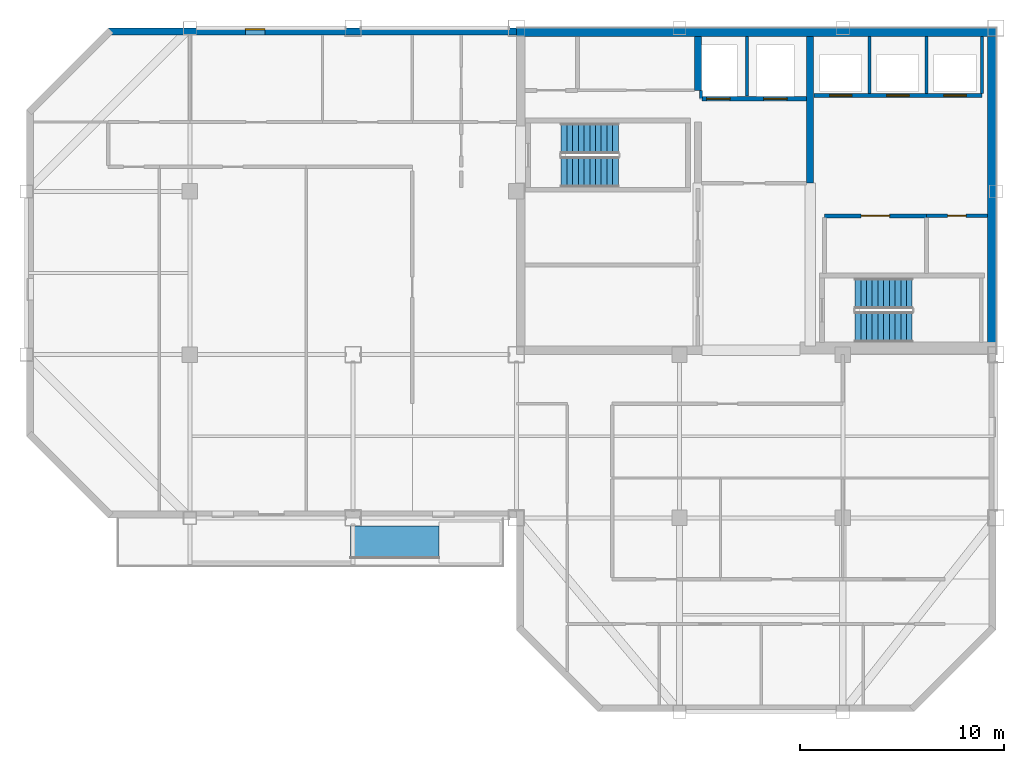
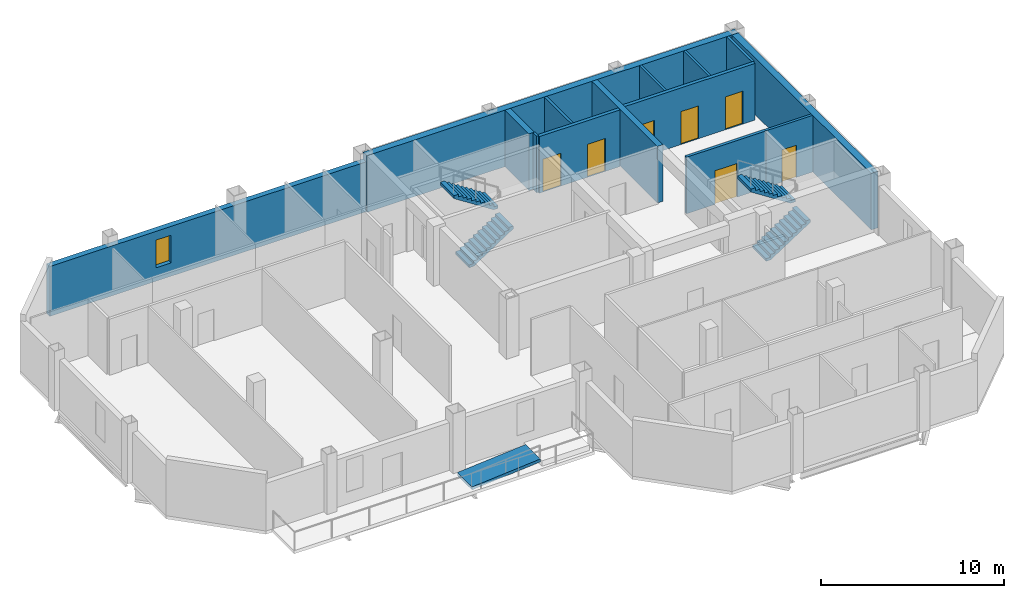
# One storey, part 4 of 7: 14 walls, 7 doors, 4 stair flights, 1 ramp flight, 1 window, 8 openings, 3 elements without a shape of their own.
"""IFC4 building model written with IfcOpenShell, lengths in metres."""

from ifc_helpers import new_model, si_unit, direction, frame, frame_2d, origin, place, context, subcontext, project, spatial, polyline, rectangle, outline, extrude, material, layer, layer_set, type_object, element, fill, aggregate, save


model = new_model("IFC4")

# Units and contexts
model_context = context("Model", 3, precision=1e-05, world=origin(), true_north=direction((0.0, 1.0)))
body_context = subcontext(model_context, "Body", "Model", "MODEL_VIEW")
ifc_project = project(units=[si_unit("LENGTHUNIT", "METRE"), si_unit("AREAUNIT", "SQUARE_METRE"), si_unit("VOLUMEUNIT", "CUBIC_METRE"), si_unit("PLANEANGLEUNIT", "RADIAN"), si_unit("MASSUNIT", "GRAM", prefix="KILO")], contexts=[model_context])

# Site, building, storey
site_placement = place(None, origin())
site = spatial("IfcSite", under=ifc_project, at=site_placement, CompositionType="ELEMENT")
building_placement = place(site_placement, origin())
building = spatial("IfcBuilding", under=site, at=building_placement, Name="Qianrong Seaharbour Tower", CompositionType="ELEMENT")
storey_placement = place(building_placement, frame((0.0, 0.0, 359.199951171875)))
storey = spatial("IfcBuildingStorey", under=building, at=storey_placement, Name="L87", CompositionType="ELEMENT", Elevation=359.199951171875)

# Walls
ifc_material_1 = material(Name="Concrete C50/60", Category="concrete")
ifc_layer_1 = layer(ifc_material_1, 0.419921875)
ifc_layer_set_1 = layer_set([ifc_layer_1], Name="Concrete C50/60")
wall_type_1 = type_object("IfcWallType", Name="WALL-CORE-420", PredefinedType="SHEAR", material=ifc_layer_set_1)
wall_1_placement = place(storey_placement, frame((40.5, 51.7900390625, 0.0), z_axis=(0.0, 0.0, 1.0), x_axis=(1.0, 0.0, 0.0)))
element("IfcWall", 1, at=wall_1_placement, inside=storey, type_object=wall_type_1, Name="L87 North Core Shear Wall", PredefinedType="SHEAR", context=body_context, shape_type="SweptSolid", body=[
    extrude(rectangle(XDim=23.5, YDim=0.419921875, at=frame_2d((11.75, 0.0))), origin(), (0.0, 0.0, 1.0), 3.78515625),
])
wall_2_placement = place(storey_placement, frame((63.7900390625, 36.320068359375, 0.0), z_axis=(0.0, 0.0, 1.0), x_axis=(0.0, 1.0, 0.0)))
element("IfcWall", 2, at=wall_2_placement, inside=storey, type_object=wall_type_1, Name="L87 East Core Shear Wall", PredefinedType="SHEAR", context=body_context, shape_type="SweptSolid", body=[
    extrude(rectangle(XDim=15.260009765625, YDim=0.419921875, at=frame_2d((7.6298828125, 0.0))), origin(), (0.0, 0.0, 1.0), 3.78515625),
])
ifc_layer_2 = layer(ifc_material_1, 0.35009765625)
ifc_layer_set_2 = layer_set([ifc_layer_2], Name="Concrete C50/60")
wall_type_2 = type_object("IfcWallType", Name="WALL-CORE-INT-350", PredefinedType="SHEAR", material=ifc_layer_set_2)
wall_3_placement = place(storey_placement, frame((49.39990234375, 48.949951171875, 0.0), z_axis=(0.0, 0.0, 1.0), x_axis=(0.0, 1.0, 0.0)))
element("IfcWall", 3, at=wall_3_placement, inside=storey, type_object=wall_type_2, Name="L87 Internal Core Shear Wall IW1N2", PredefinedType="SHEAR", context=body_context, shape_type="SweptSolid", body=[
    extrude(rectangle(XDim=2.630126953125, YDim=0.35009765625, at=frame_2d((1.31494140625, 0.0))), origin(), (0.0, 0.0, 1.0), 3.78515625),
])
wall_4_placement = place(storey_placement, frame((54.89990234375, 44.39990234375, 0.0), z_axis=(0.0, 0.0, 1.0), x_axis=(0.0, 1.0, 0.0)))
element("IfcWall", 4, at=wall_4_placement, inside=storey, type_object=wall_type_2, Name="L87 Internal Core Shear Wall IW2N", PredefinedType="SHEAR", context=body_context, shape_type="SweptSolid", body=[
    extrude(rectangle(XDim=7.18017578125, YDim=0.35009765625, at=frame_2d((3.590087890625, 0.0))), origin(), (0.0, 0.0, 1.0), 3.78515625),
])

# Wall, opening, door
ifc_material_2 = material(Name="Fire-rated acoustic gypsum board partition")
ifc_layer_3 = layer(ifc_material_2, 0.1650390625)
ifc_layer_set_3 = layer_set([ifc_layer_3], Name="Fire-rated acoustic gypsum board partition")
wall_type_3 = type_object("IfcWallType", Name="WALL-CORR-PART-165", PredefinedType="PARTITIONING", material=ifc_layer_set_3)
wall_5_placement = place(storey_placement, frame((63.580078125, 42.800048828125, 0.0), z_axis=(0.0, 0.0, 1.0), x_axis=(-1.0, 0.0, 0.0)))
wall_5 = element("IfcWall", 5, at=wall_5_placement, inside=storey, type_object=wall_type_3, Name="L87 Interior Partition Wall 015", PredefinedType="PARTITIONING", context=body_context, shape_type="SweptSolid", body=[
    extrude(rectangle(XDim=2.97998046875, YDim=0.1650390625, at=frame_2d((1.489990234375, 0.0))), origin(), (0.0, 0.0, 1.0), 3.78515625),
])
opening_1_placement = place(wall_5_placement, frame((1.0400390625, 0.0, 0.0)))
opening_1 = element("IfcOpeningElement", 6, at=opening_1_placement, cuts=wall_5, Name="Opening DS-01", PredefinedType="OPENING", context=body_context, shape_type="SweptSolid", body=[
    extrude(rectangle(XDim=0.89990234375, YDim=2.14990234375, at=frame_2d((0.449951171875, 1.074951171875))), frame((0.0, 0.092529296875, 0.0), z_axis=(0.0, -1.0, 0.0), x_axis=(1.0, 0.0, 0.0)), (0.0, 0.0, 1.0), 0.18505859375),
])
ifc_material_3 = material(Name="Acoustic timber and galvanized steel fire door assembly", Category="steel")
door_type_1 = type_object("IfcDoorType", Name="DOOR-STORE-900x2150", OperationType="NOTDEFINED", PredefinedType="DOOR", material=ifc_material_3)
door_1_placement = place(opening_1_placement, origin())
door_1 = element("IfcDoor", 7, at=door_1_placement, inside=storey, type_object=door_type_1, Name="L87 Housekeeping Linen Store Door", OperationType="SINGLE_SWING_RIGHT", OverallHeight=2.14990234375, OverallWidth=0.89990234375, PredefinedType="DOOR", context=body_context, shape_type="SweptSolid", body=[
    extrude(rectangle(XDim=0.89990234375, YDim=2.14990234375, at=frame_2d((0.449951171875, 1.074951171875))), frame((0.0, 0.02490234375, 0.0), z_axis=(0.0, -1.0, 0.0), x_axis=(1.0, 0.0, 0.0)), (0.0, 0.0, 1.0), 0.050048828125),
])
fill(opening_1, door_1)

# Wall, opening, window
ifc_material_4 = material(Name="Unitised buff brick on Precast concrete C45/55", Category="masonry")
ifc_layer_4 = layer(ifc_material_4, 0.340087890625)
ifc_layer_set_4 = layer_set([ifc_layer_4], Name="Unitised buff brick on Precast concrete C45/55")
wall_type_4 = type_object("IfcWallType", Name="WALL-EXT-BRICK-BUFF-340", PredefinedType="SOLIDWALL", material=ifc_layer_set_4)
wall_6_placement = place(storey_placement, frame((20.5, 51.830078125, 0.0), z_axis=(0.0, 0.0, 1.0), x_axis=(1.0, 0.0, 0.0)))
wall_6 = element("IfcWall", 8, at=wall_6_placement, inside=storey, type_object=wall_type_4, Name="L87 Exterior Masonry Facade Wall NORTH_WING", PredefinedType="SOLIDWALL", context=body_context, shape_type="SweptSolid", body=[
    extrude(rectangle(XDim=20.02001953125, YDim=0.340087890625, at=frame_2d((10.010009765625, 0.0))), origin(), (0.0, 0.0, 1.0), 3.3349609375),
])
opening_2_placement = place(wall_6_placement, frame((6.72509765625, 0.0, 0.89990234375)))
opening_2 = element("IfcOpeningElement", 9, at=opening_2_placement, cuts=wall_6, Name="Opening WN-13", PredefinedType="OPENING", context=body_context, shape_type="SweptSolid", body=[
    extrude(rectangle(XDim=0.949951171875, YDim=1.85009765625, at=frame_2d((0.47509765625, 0.925048828125))), frame((0.0, 0.18017578125, 0.0), z_axis=(0.0, -1.0, 0.0), x_axis=(1.0, 0.0, 0.0)), (0.0, 0.0, 1.0), 0.360107421875),
])
ifc_material_5 = material(Name="Insulated low-e double glazing in thermally broken aluminium 6063-T6 frame", Category="aluminium")
window_type = type_object("IfcWindowType", Name="WIN-NARROW-950x1850", PartitioningType="SINGLE_PANEL", PredefinedType="WINDOW", material=ifc_material_5)
window_placement = place(opening_2_placement, origin())
window = element("IfcWindow", 10, at=window_placement, inside=storey, type_object=window_type, Name="L87 Deep-Set Punched Window 05.02", OverallHeight=1.85009765625, OverallWidth=0.949951171875, PartitioningType="SINGLE_PANEL", PredefinedType="WINDOW", context=body_context, shape_type="SweptSolid", body=[
    extrude(rectangle(XDim=0.949951171875, YDim=1.85009765625, at=frame_2d((0.47509765625, 0.925048828125))), frame((0.0, 0.150146484375, 0.0), z_axis=(0.0, -1.0, 0.0), x_axis=(1.0, 0.0, 0.0)), (0.0, 0.0, 1.0), 0.06005859375),
])
fill(opening_2, window)

# Wall, opening, door
ifc_material_6 = material(Name="Double fire-rated gypsum board acoustic partition")
ifc_layer_5 = layer(ifc_material_6, 0.18994140625)
ifc_layer_set_5 = layer_set([ifc_layer_5], Name="Double fire-rated gypsum board acoustic partition")
wall_type_5 = type_object("IfcWallType", Name="WALL-FIRE-PART-190", PredefinedType="PARTITIONING", material=ifc_layer_set_5)
wall_7_placement = place(storey_placement, frame((60.60009765625, 42.800048828125, 0.0), z_axis=(0.0, 0.0, 1.0), x_axis=(-1.0, 0.0, 0.0)))
wall_7 = element("IfcWall", 11, at=wall_7_placement, inside=storey, type_object=wall_type_5, Name="L87 Interior Partition Wall 014", PredefinedType="PARTITIONING", context=body_context, shape_type="SweptSolid", body=[
    extrude(rectangle(XDim=5.0, YDim=0.18994140625, at=frame_2d((2.5, 0.0))), origin(), (0.0, 0.0, 1.0), 3.78515625),
])
opening_3_placement = place(wall_7_placement, frame((1.800048828125, 0.0, 0.0)))
opening_3 = element("IfcOpeningElement", 12, at=opening_3_placement, cuts=wall_7, Name="Opening DP-01", PredefinedType="OPENING", context=body_context, shape_type="SweptSolid", body=[
    extrude(rectangle(XDim=1.39990234375, YDim=2.25, at=frame_2d((0.699951171875, 1.125))), frame((0.0, 0.10498046875, 0.0), z_axis=(0.0, -1.0, 0.0), x_axis=(1.0, 0.0, 0.0)), (0.0, 0.0, 1.0), 0.2099609375),
])
door_type_2 = type_object("IfcDoorType", Name="DOOR-PLANT-PAIR-1400x2250", OperationType="DOUBLE_DOOR_SINGLE_SWING", PredefinedType="DOOR", material=ifc_material_3)
door_2_placement = place(opening_3_placement, origin())
door_2 = element("IfcDoor", 13, at=door_2_placement, inside=storey, type_object=door_type_2, Name="L87 Submetering Switch Room Door", OperationType="DOUBLE_DOOR_SINGLE_SWING", OverallHeight=2.25, OverallWidth=1.39990234375, PredefinedType="DOOR", context=body_context, shape_type="SweptSolid", body=[
    extrude(rectangle(XDim=1.39990234375, YDim=2.25, at=frame_2d((0.699951171875, 1.125))), frame((0.0, 0.02490234375, 0.0), z_axis=(0.0, -1.0, 0.0), x_axis=(1.0, 0.0, 0.0)), (0.0, 0.0, 1.0), 0.050048828125),
])
fill(opening_3, door_2)

# Walls
ifc_material_7 = material(Name="Fire-rated gypsum board on steel studs", Category="steel")
ifc_layer_6 = layer(ifc_material_7, 0.14990234375)
ifc_layer_set_6 = layer_set([ifc_layer_6], Name="Fire-rated gypsum board on steel studs")
wall_type_6 = type_object("IfcWallType", Name="WALL-SHAFT-DIV-150", PredefinedType="PARTITIONING", material=ifc_layer_set_6)
wall_8_placement = place(storey_placement, frame((51.800048828125, 48.669921875, 0.0), z_axis=(0.0, 0.0, 1.0), x_axis=(0.0, 1.0, 0.0)))
element("IfcWall", 14, at=wall_8_placement, inside=storey, type_object=wall_type_6, Name="L87 Firefighting Lift Shaft Divider Wall", PredefinedType="PARTITIONING", context=body_context, shape_type="SweptSolid", body=[
    extrude(rectangle(XDim=2.91015625, YDim=0.14990234375, at=frame_2d((1.455078125, 0.0))), origin(), (0.0, 0.0, 1.0), 3.78515625),
])
wall_9_placement = place(storey_placement, frame((49.550048828125, 48.550048828125, 0.0), z_axis=(0.0, 0.0, 1.0), x_axis=(0.0, 1.0, 0.0)))
element("IfcWall", 15, at=wall_9_placement, inside=storey, type_object=wall_type_6, Name="L87 Firefighting Lift Shaft West Return Wall", PredefinedType="PARTITIONING", context=body_context, shape_type="SweptSolid", body=[
    extrude(rectangle(XDim=0.39990234375, YDim=0.14990234375, at=frame_2d((0.199951171875, 0.0))), origin(), (0.0, 0.0, 1.0), 3.78515625),
])
for number, where, z_axis, x_axis, name in (
    (16, (57.800048828125, 48.81005859375, 0.0), (0.0, 0.0, 1.0), (0.0, 1.0, 0.0), "L87 P4 Lift Hoistway Divider 2"),
    (17, (60.60009765625, 48.81005859375, 0.0), (0.0, 0.0, 1.0), (0.0, 1.0, 0.0), "L87 P4 Lift Hoistway Divider 3"),
    (18, (63.320068359375, 48.81005859375, 0.0), (0.0, 0.0, 1.0), (0.0, 1.0, 0.0), "L87 P4 Lift Hoistway Divider 4"),
):
    element("IfcWall", number, at=place(storey_placement, frame(where, z_axis=z_axis, x_axis=x_axis)), inside=storey, type_object=wall_type_6, Name=name, PredefinedType="PARTITIONING", context=body_context, shape_type="SweptSolid", body=[
        extrude(rectangle(XDim=2.77001953125, YDim=0.14990234375, at=frame_2d((1.385009765625, 0.0))), origin(), (0.0, 0.0, 1.0), 3.78515625),
    ])

# Wall, openings, doors
ifc_layer_7 = layer(ifc_material_7, 0.219970703125)
ifc_layer_set_7 = layer_set([ifc_layer_7], Name="Fire-rated gypsum board on steel studs")
wall_type_7 = type_object("IfcWallType", Name="WALL-SHAFT-GYP220", PredefinedType="PARTITIONING", material=ifc_layer_set_7)
wall_10_placement = place(storey_placement, frame((54.7099609375, 48.550048828125, 0.0), z_axis=(0.0, 0.0, 1.0), x_axis=(-1.0, 0.0, 0.0)))
wall_10 = element("IfcWall", 19, at=wall_10_placement, inside=storey, type_object=wall_type_7, Name="L87 Firefighting Lift Shaft Front Wall", PredefinedType="PARTITIONING", context=body_context, shape_type="SweptSolid", body=[
    extrude(rectangle(XDim=5.119873046875, YDim=0.219970703125, at=frame_2d((2.56005859375, 0.0))), origin(), (0.0, 0.0, 1.0), 3.78515625),
])
opening_4_placement = place(wall_10_placement, frame((3.735107421875, 0.0, 0.0)))
opening_4 = element("IfcOpeningElement", 20, at=opening_4_placement, cuts=wall_10, Name="Opening LD-01", PredefinedType="OPENING", context=body_context, shape_type="SweptSolid", body=[
    extrude(rectangle(XDim=1.14990234375, YDim=2.199951171875, at=frame_2d((0.574951171875, 1.10009765625))), frame((0.0, 0.1201171875, 0.0), z_axis=(0.0, -1.0, 0.0), x_axis=(1.0, 0.0, 0.0)), (0.0, 0.0, 1.0), 0.239990234375),
])
opening_5_placement = place(wall_10_placement, frame((0.93505859375, 0.0, 0.0)))
opening_5 = element("IfcOpeningElement", 21, at=opening_5_placement, cuts=wall_10, Name="Opening LD-01", PredefinedType="OPENING", context=body_context, shape_type="SweptSolid", body=[
    extrude(rectangle(XDim=1.14990234375, YDim=2.199951171875, at=frame_2d((0.574951171875, 1.10009765625))), frame((0.0, 0.1201171875, 0.0), z_axis=(0.0, -1.0, 0.0), x_axis=(1.0, 0.0, 0.0)), (0.0, 0.0, 1.0), 0.239990234375),
])
ifc_material_8 = material(Name="Stainless steel SUS316L bi-parting lift landing door", Category="steel")
door_type_3 = type_object("IfcDoorType", Name="DOOR-LIFT-FF-1150x2200", OperationType="DOUBLE_DOOR_SLIDING", PredefinedType="DOOR", material=ifc_material_8)
door_3_placement = place(opening_4_placement, origin())
door_3 = element("IfcDoor", 22, at=door_3_placement, inside=storey, type_object=door_type_3, Name="L87 FL-1 Firefighting Lift Landing Door", OperationType="DOUBLE_DOOR_SLIDING", OverallHeight=2.199951171875, OverallWidth=1.14990234375, PredefinedType="DOOR", context=body_context, shape_type="SweptSolid", body=[
    extrude(rectangle(XDim=1.14990234375, YDim=2.199951171875, at=frame_2d((0.574951171875, 1.10009765625))), frame((0.0, 0.02490234375, 0.0), z_axis=(0.0, -1.0, 0.0), x_axis=(1.0, 0.0, 0.0)), (0.0, 0.0, 1.0), 0.050048828125),
])
fill(opening_4, door_3)
door_4_placement = place(opening_5_placement, origin())
door_4 = element("IfcDoor", 23, at=door_4_placement, inside=storey, type_object=door_type_3, Name="L87 FL-2 Firefighting Lift Landing Door", OperationType="DOUBLE_DOOR_SLIDING", OverallHeight=2.199951171875, OverallWidth=1.14990234375, PredefinedType="DOOR", context=body_context, shape_type="SweptSolid", body=[
    extrude(rectangle(XDim=1.14990234375, YDim=2.199951171875, at=frame_2d((0.574951171875, 1.10009765625))), frame((0.0, 0.02490234375, 0.0), z_axis=(0.0, -1.0, 0.0), x_axis=(1.0, 0.0, 0.0)), (0.0, 0.0, 1.0), 0.050048828125),
])
fill(opening_5, door_4)

wall_11_placement = place(storey_placement, frame((63.320068359375, 48.699951171875, 0.0), z_axis=(0.0, 0.0, 1.0), x_axis=(-1.0, 0.0, 0.0)))
wall_11 = element("IfcWall", 24, at=wall_11_placement, inside=storey, type_object=wall_type_7, Name="L87 P4 Lift Hoistway Front Wall", PredefinedType="PARTITIONING", context=body_context, shape_type="SweptSolid", body=[
    extrude(rectangle(XDim=8.239990234375, YDim=0.219970703125, at=frame_2d((4.1201171875, 0.0))), origin(), (0.0, 0.0, 1.0), 3.78515625),
])
opening_6_placement = place(wall_11_placement, frame((6.3701171875, 0.0, 0.0)))
opening_6 = element("IfcOpeningElement", 25, at=opening_6_placement, cuts=wall_11, Name="Opening LD-02", PredefinedType="OPENING", context=body_context, shape_type="SweptSolid", body=[
    extrude(rectangle(XDim=1.10009765625, YDim=2.199951171875, at=frame_2d((0.550048828125, 1.10009765625))), frame((0.0, 0.1201171875, 0.0), z_axis=(0.0, -1.0, 0.0), x_axis=(1.0, 0.0, 0.0)), (0.0, 0.0, 1.0), 0.239990234375),
])
opening_7_placement = place(wall_11_placement, frame((3.570068359375, 0.0, 0.0)))
opening_7 = element("IfcOpeningElement", 26, at=opening_7_placement, cuts=wall_11, Name="Opening LD-02", PredefinedType="OPENING", context=body_context, shape_type="SweptSolid", body=[
    extrude(rectangle(XDim=1.10009765625, YDim=2.199951171875, at=frame_2d((0.550048828125, 1.10009765625))), frame((0.0, 0.1201171875, 0.0), z_axis=(0.0, -1.0, 0.0), x_axis=(1.0, 0.0, 0.0)), (0.0, 0.0, 1.0), 0.239990234375),
])
opening_8_placement = place(wall_11_placement, frame((0.77001953125, 0.0, 0.0)))
opening_8 = element("IfcOpeningElement", 27, at=opening_8_placement, cuts=wall_11, Name="Opening LD-02", PredefinedType="OPENING", context=body_context, shape_type="SweptSolid", body=[
    extrude(rectangle(XDim=1.10009765625, YDim=2.199951171875, at=frame_2d((0.550048828125, 1.10009765625))), frame((0.0, 0.1201171875, 0.0), z_axis=(0.0, -1.0, 0.0), x_axis=(1.0, 0.0, 0.0)), (0.0, 0.0, 1.0), 0.239990234375),
])
door_type_4 = type_object("IfcDoorType", Name="DOOR-LIFT-PASS-1100x2200", OperationType="DOUBLE_DOOR_SLIDING", PredefinedType="DOOR", material=ifc_material_8)
door_5_placement = place(opening_6_placement, origin())
door_5 = element("IfcDoor", 28, at=door_5_placement, inside=storey, type_object=door_type_4, Name="L87 PL-4A Lift Landing Door", OperationType="DOUBLE_DOOR_SLIDING", OverallHeight=2.199951171875, OverallWidth=1.10009765625, PredefinedType="DOOR", context=body_context, shape_type="SweptSolid", body=[
    extrude(rectangle(XDim=1.10009765625, YDim=2.199951171875, at=frame_2d((0.550048828125, 1.10009765625))), frame((0.0, 0.02490234375, 0.0), z_axis=(0.0, -1.0, 0.0), x_axis=(1.0, 0.0, 0.0)), (0.0, 0.0, 1.0), 0.050048828125),
])
fill(opening_6, door_5)
door_6_placement = place(opening_7_placement, origin())
door_6 = element("IfcDoor", 29, at=door_6_placement, inside=storey, type_object=door_type_4, Name="L87 PL-4B Lift Landing Door", OperationType="DOUBLE_DOOR_SLIDING", OverallHeight=2.199951171875, OverallWidth=1.10009765625, PredefinedType="DOOR", context=body_context, shape_type="SweptSolid", body=[
    extrude(rectangle(XDim=1.10009765625, YDim=2.199951171875, at=frame_2d((0.550048828125, 1.10009765625))), frame((0.0, 0.02490234375, 0.0), z_axis=(0.0, -1.0, 0.0), x_axis=(1.0, 0.0, 0.0)), (0.0, 0.0, 1.0), 0.050048828125),
])
fill(opening_7, door_6)
door_7_placement = place(opening_8_placement, origin())
door_7 = element("IfcDoor", 30, at=door_7_placement, inside=storey, type_object=door_type_4, Name="L87 PL-4C Lift Landing Door", OperationType="DOUBLE_DOOR_SLIDING", OverallHeight=2.199951171875, OverallWidth=1.10009765625, PredefinedType="DOOR", context=body_context, shape_type="SweptSolid", body=[
    extrude(rectangle(XDim=1.10009765625, YDim=2.199951171875, at=frame_2d((0.550048828125, 1.10009765625))), frame((0.0, 0.02490234375, 0.0), z_axis=(0.0, -1.0, 0.0), x_axis=(1.0, 0.0, 0.0)), (0.0, 0.0, 1.0), 0.050048828125),
])
fill(opening_8, door_7)

# Stair, stair flights
stair_type = type_object("IfcStairType", Name="STAIR-DOGLEG-1500-R22", PredefinedType="HALF_TURN_STAIR", material=ifc_material_1)
stair_1_placement = place(storey_placement, origin())
stair_1 = element("IfcStair", 31, at=stair_1_placement, inside=storey, type_object=stair_type, Name="L87 Protected Escape Stair ST-1", PredefinedType="HALF_TURN_STAIR")
stair_flight_type = type_object("IfcStairFlightType", Name="FLIGHT-STR-1500-R22", PredefinedType="STRAIGHT", material=ifc_material_1)
stair_flight_1_placement = place(storey_placement, frame((42.699951171875, 44.949951171875, 0.0), z_axis=(0.0, 0.0, 1.0), x_axis=(1.0, 0.0, 0.0)))
stair_flight_1 = element("IfcStairFlight", 32, at=stair_flight_1_placement, type_object=stair_flight_type, Name="ST-1 flight 1", NumberOfRisers=11, NumberOfTreads=10, PredefinedType="STRAIGHT", RiserHeight=0.181818182, TreadLength=0.28, context=body_context, shape_type="SweptSolid", body=[
    extrude(outline(polyline([(0.0, 0.0), (0.0, 0.181884765625), (0.280029296875, 0.181884765625), (0.280029296875, 0.363525390625), (0.56005859375, 0.363525390625), (0.56005859375, 0.54541015625), (0.840087890625, 0.54541015625), (0.840087890625, 0.727294921875), (1.1201171875, 0.727294921875), (1.1201171875, 0.9091796875), (1.39990234375, 0.9091796875), (1.39990234375, 1.0908203125), (1.679931640625, 1.0908203125), (1.679931640625, 1.272705078125), (1.9599609375, 1.272705078125), (1.9599609375, 1.45458984375), (2.239990234375, 1.45458984375), (2.239990234375, 1.636474609375), (2.52001953125, 1.636474609375), (2.52001953125, 1.818115234375), (2.800048828125, 1.818115234375), (2.800048828125, 2.0), (2.800048828125, 1.62744140625), (0.293701171875, 0.0), (0.0, 0.0)])), frame((0.0, 0.75, 0.0), z_axis=(0.0, -1.0, 0.0), x_axis=(1.0, 0.0, 0.0)), (0.0, 0.0, 1.0), 1.5),
])
stair_flight_2_placement = place(storey_placement, frame((45.5, 46.60009765625, 2.0), z_axis=(0.0, 0.0, 1.0), x_axis=(-1.0, 0.0, 0.0)))
stair_flight_2 = element("IfcStairFlight", 33, at=stair_flight_2_placement, type_object=stair_flight_type, Name="ST-1 flight 2", NumberOfRisers=11, NumberOfTreads=10, PredefinedType="STRAIGHT", RiserHeight=0.181818182, TreadLength=0.28, context=body_context, shape_type="SweptSolid", body=[
    extrude(outline(polyline([(0.0, 0.0), (0.0, 0.181884765625), (0.280029296875, 0.181884765625), (0.280029296875, 0.363525390625), (0.56005859375, 0.363525390625), (0.56005859375, 0.54541015625), (0.840087890625, 0.54541015625), (0.840087890625, 0.727294921875), (1.1201171875, 0.727294921875), (1.1201171875, 0.9091796875), (1.39990234375, 0.9091796875), (1.39990234375, 1.0908203125), (1.679931640625, 1.0908203125), (1.679931640625, 1.272705078125), (1.9599609375, 1.272705078125), (1.9599609375, 1.45458984375), (2.239990234375, 1.45458984375), (2.239990234375, 1.636474609375), (2.52001953125, 1.636474609375), (2.52001953125, 1.818115234375), (2.800048828125, 1.818115234375), (2.800048828125, 2.0), (2.800048828125, 1.62744140625), (0.293701171875, 0.0), (0.0, 0.0)])), frame((0.0, 0.75, 0.0), z_axis=(0.0, -1.0, 0.0), x_axis=(1.0, 0.0, 0.0)), (0.0, 0.0, 1.0), 1.5),
])
aggregate(stair_1, [stair_flight_1, stair_flight_2])

stair_2_placement = place(storey_placement, origin())
stair_2 = element("IfcStair", 34, at=stair_2_placement, inside=storey, type_object=stair_type, Name="L87 Protected Escape Stair ST-2", PredefinedType="HALF_TURN_STAIR")
stair_flight_3_placement = place(storey_placement, frame((57.10009765625, 37.35009765625, 0.0), z_axis=(0.0, 0.0, 1.0), x_axis=(1.0, 0.0, 0.0)))
stair_flight_3 = element("IfcStairFlight", 35, at=stair_flight_3_placement, type_object=stair_flight_type, Name="ST-2 flight 1", NumberOfRisers=11, NumberOfTreads=10, PredefinedType="STRAIGHT", RiserHeight=0.181818182, TreadLength=0.28, context=body_context, shape_type="SweptSolid", body=[
    extrude(outline(polyline([(0.0, 0.0), (0.0, 0.181884765625), (0.280029296875, 0.181884765625), (0.280029296875, 0.363525390625), (0.56005859375, 0.363525390625), (0.56005859375, 0.54541015625), (0.840087890625, 0.54541015625), (0.840087890625, 0.727294921875), (1.1201171875, 0.727294921875), (1.1201171875, 0.9091796875), (1.39990234375, 0.9091796875), (1.39990234375, 1.0908203125), (1.679931640625, 1.0908203125), (1.679931640625, 1.272705078125), (1.9599609375, 1.272705078125), (1.9599609375, 1.45458984375), (2.239990234375, 1.45458984375), (2.239990234375, 1.636474609375), (2.52001953125, 1.636474609375), (2.52001953125, 1.818115234375), (2.800048828125, 1.818115234375), (2.800048828125, 2.0), (2.800048828125, 1.62744140625), (0.293701171875, 0.0), (0.0, 0.0)])), frame((0.0, 0.75, 0.0), z_axis=(0.0, -1.0, 0.0), x_axis=(1.0, 0.0, 0.0)), (0.0, 0.0, 1.0), 1.5),
])
stair_flight_4_placement = place(storey_placement, frame((59.89990234375, 39.0, 2.0), z_axis=(0.0, 0.0, 1.0), x_axis=(-1.0, 0.0, 0.0)))
stair_flight_4 = element("IfcStairFlight", 36, at=stair_flight_4_placement, type_object=stair_flight_type, Name="ST-2 flight 2", NumberOfRisers=11, NumberOfTreads=10, PredefinedType="STRAIGHT", RiserHeight=0.181818182, TreadLength=0.28, context=body_context, shape_type="SweptSolid", body=[
    extrude(outline(polyline([(0.0, 0.0), (0.0, 0.181884765625), (0.280029296875, 0.181884765625), (0.280029296875, 0.363525390625), (0.56005859375, 0.363525390625), (0.56005859375, 0.54541015625), (0.840087890625, 0.54541015625), (0.840087890625, 0.727294921875), (1.1201171875, 0.727294921875), (1.1201171875, 0.9091796875), (1.39990234375, 0.9091796875), (1.39990234375, 1.0908203125), (1.679931640625, 1.0908203125), (1.679931640625, 1.272705078125), (1.9599609375, 1.272705078125), (1.9599609375, 1.45458984375), (2.239990234375, 1.45458984375), (2.239990234375, 1.636474609375), (2.52001953125, 1.636474609375), (2.52001953125, 1.818115234375), (2.800048828125, 1.818115234375), (2.800048828125, 2.0), (2.800048828125, 1.62744140625), (0.293701171875, 0.0), (0.0, 0.0)])), frame((0.0, 0.75, 0.0), z_axis=(0.0, -1.0, 0.0), x_axis=(1.0, 0.0, 0.0)), (0.0, 0.0, 1.0), 1.5),
])
aggregate(stair_2, [stair_flight_3, stair_flight_4])

# Ramp, ramp flight
ifc_material_9 = material(Name="White architectural precast concrete C45/55", Category="concrete")
ramp_type = type_object("IfcRampType", Name="RAMP-RIBBON-GARDEN", PredefinedType="STRAIGHT_RUN_RAMP", material=ifc_material_9)
ramp_placement = place(storey_placement, origin())
ramp = element("IfcRamp", 37, at=ramp_placement, inside=storey, type_object=ramp_type, Name="L87 Harbourfront Garden Ribbon Ramp", PredefinedType="STRAIGHT_RUN_RAMP")
ifc_layer_8 = layer(ifc_material_9, 0.199951171875)
ifc_layer_set_8 = layer_set([ifc_layer_8], Name="White architectural precast concrete C45/55")
ramp_flight_type = type_object("IfcRampFlightType", Name="RAMP-FLIGHT-GARDEN-200", PredefinedType="STRAIGHT", material=ifc_layer_set_8)
ramp_flight_placement = place(storey_placement, frame((32.3798828125, 26.800048828125, 0.0), z_axis=(0.0, 0.0, 1.0), x_axis=(1.0, 0.0, 0.0)))
ramp_flight = element("IfcRampFlight", 38, at=ramp_flight_placement, type_object=ramp_flight_type, Name="L87 Harbourfront Garden Ribbon Ramp Flight", PredefinedType="STRAIGHT", context=body_context, shape_type="SweptSolid", body=[
    extrude(outline(polyline([(0.0, 0.0), (4.320068359375, 0.360107421875), (4.320068359375, 0.16015625), (0.0, -0.199951171875), (0.0, 0.0)])), frame((0.0, 0.800048828125, 0.0), z_axis=(0.0, -1.0, 0.0), x_axis=(1.0, 0.0, 0.0)), (0.0, 0.0, 1.0), 1.60009765625),
])
aggregate(ramp, [ramp_flight])

save(model, "model.ifc")
